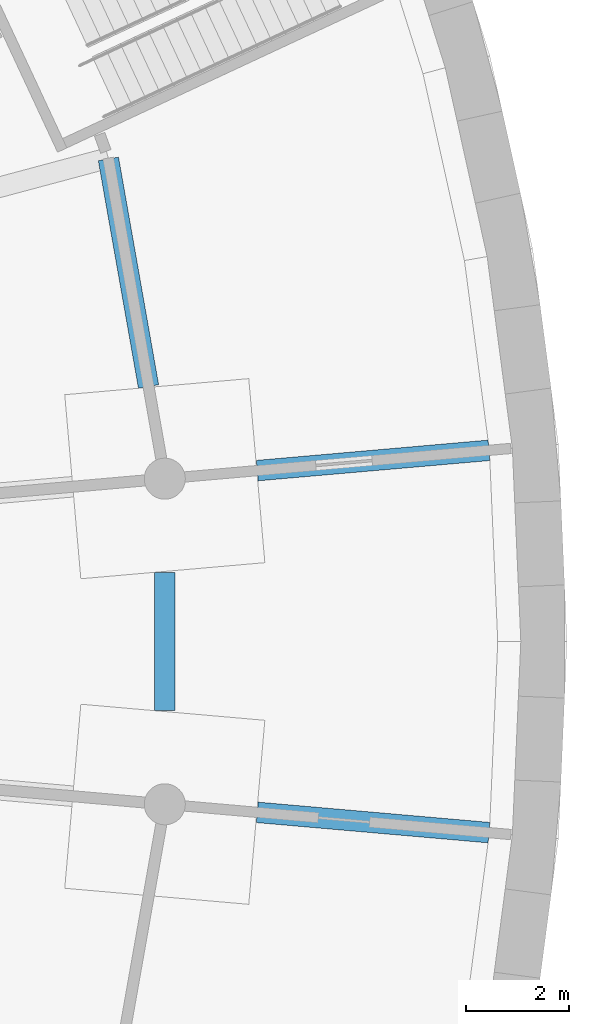
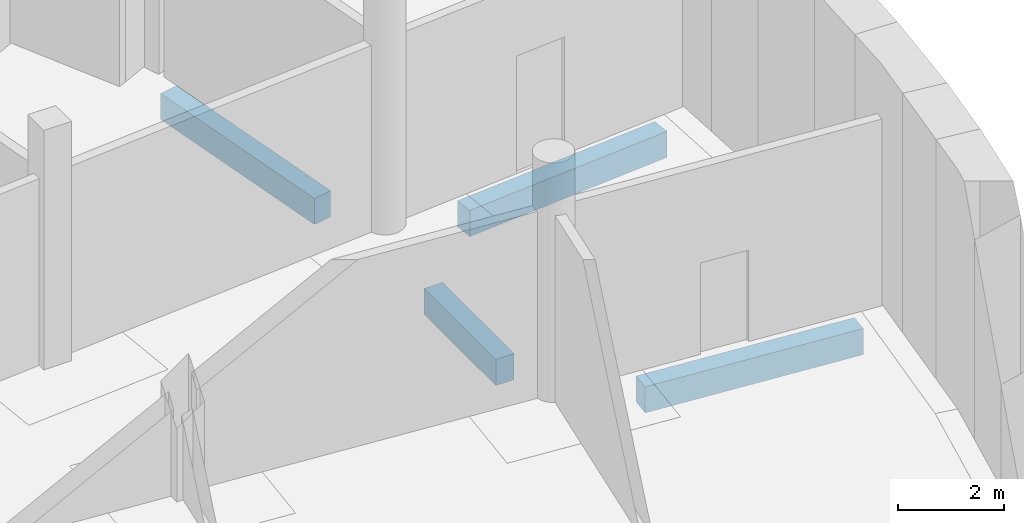
# One storey, part 19 of 65: 4 beams.
"""IFC4 building model written with IfcOpenShell, lengths in metres."""

from ifc_helpers import new_model, si_unit, direction, frame, origin, origin_2d, place, context, subcontext, project, spatial, rectangle, extrude, material, material_profile, profile_set, type_object, element, save


model = new_model("IFC4")

# Units and contexts
model_context = context("Model", 3, precision=1e-05, world=origin(), true_north=direction((0.0, 1.0)))
body_context = subcontext(model_context, "Body", "Model", "MODEL_VIEW")
ifc_project = project(units=[si_unit("LENGTHUNIT", "METRE"), si_unit("AREAUNIT", "SQUARE_METRE"), si_unit("VOLUMEUNIT", "CUBIC_METRE"), si_unit("PLANEANGLEUNIT", "RADIAN"), si_unit("MASSUNIT", "GRAM", prefix="KILO")], contexts=[model_context])

# Site, building, storey
site_placement = place(None, origin())
site = spatial("IfcSite", under=ifc_project, at=site_placement, CompositionType="ELEMENT")
building_placement = place(site_placement, origin())
building = spatial("IfcBuilding", under=site, at=building_placement, Name="Volute Hill Aquarium", CompositionType="ELEMENT")
storey_placement = place(building_placement, frame((0.0, 0.0, -5.5)))
storey = spatial("IfcBuildingStorey", under=building, at=storey_placement, Name="L00", CompositionType="ELEMENT", Elevation=-5.5)

# Beams
ifc_material = material(Name="Concrete C30/37", Category="concrete")
ifc_material_profile = material_profile(ifc_material, rectangle(XDim=0.39990234375, YDim=0.60009765625, at=origin_2d()), Name="RC tie beam 400x600")
ifc_profile_set = profile_set([ifc_material_profile], Name="Concrete C30/37")
beam_type = type_object("IfcBeamType", Name="Tie beam 400x600 C30/37", PredefinedType="BEAM", material=ifc_profile_set)
beam_1_placement = place(storey_placement, frame((36.261474609375, -1.34814453125, -0.6298828125), z_axis=(0.0, 1.0, 0.0), x_axis=(-1.0, 0.0, 0.0)))
element("IfcBeam", 1, at=beam_1_placement, inside=storey, type_object=beam_type, Name="tb/S4/L00/43", PredefinedType="BEAM", context=body_context, shape_type="SweptSolid", body=[
    extrude(rectangle(XDim=0.39990234375, YDim=0.60009765625, at=origin_2d()), origin(), (0.0, 0.0, 1.0), 2.6962890625),
])
beam_2_placement = place(storey_placement, frame((38.063720703125, -3.330078125, -0.6298828125), z_axis=(0.99619395139, -0.087164277166, 0.0), x_axis=(0.087164277166, 0.99619395139, 0.0)))
element("IfcBeam", 2, at=beam_2_placement, inside=storey, type_object=beam_type, Name="tb/S4/L00/44", PredefinedType="BEAM", context=body_context, shape_type="SweptSolid", body=[
    extrude(rectangle(XDim=0.39990234375, YDim=0.60009765625, at=origin_2d()), origin(), (0.0, 0.0, 1.0), 4.531982421875),
])
beam_3_placement = place(storey_placement, frame((35.944580078125, 4.96923828125, -0.6298828125), z_axis=(-0.17363997925, 0.984809198579, 0.0), x_axis=(-0.984809198579, -0.17363997925, 0.0)))
element("IfcBeam", 3, at=beam_3_placement, inside=storey, type_object=beam_type, Name="tb/S4/L00/45", PredefinedType="BEAM", context=body_context, shape_type="SweptSolid", body=[
    extrude(rectangle(XDim=0.39990234375, YDim=0.60009765625, at=origin_2d()), origin(), (0.0, 0.0, 1.0), 4.50341796875),
])
beam_4_placement = place(storey_placement, frame((38.063720703125, 3.330078125, -0.6298828125), z_axis=(0.99619395139, 0.087164277166, 0.0), x_axis=(-0.087164277166, 0.99619395139, 0.0)))
element("IfcBeam", 4, at=beam_4_placement, inside=storey, type_object=beam_type, Name="tb/S4/L00/46", PredefinedType="BEAM", context=body_context, shape_type="SweptSolid", body=[
    extrude(rectangle(XDim=0.39990234375, YDim=0.60009765625, at=origin_2d()), origin(), (0.0, 0.0, 1.0), 4.531982421875),
])

save(model, "model.ifc")
